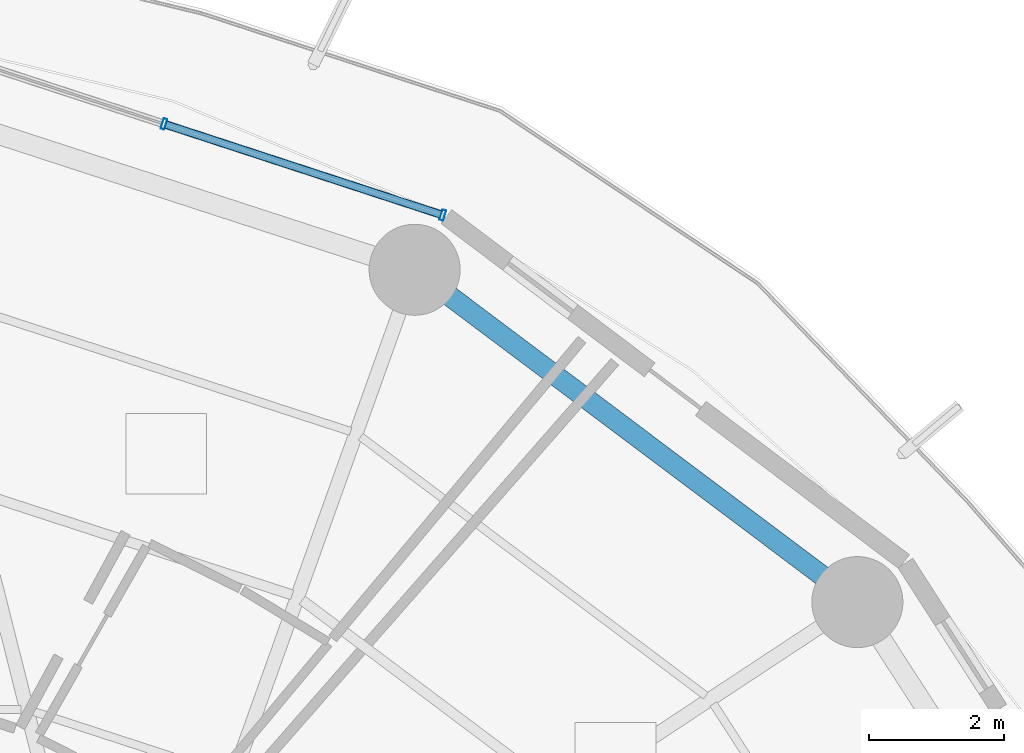
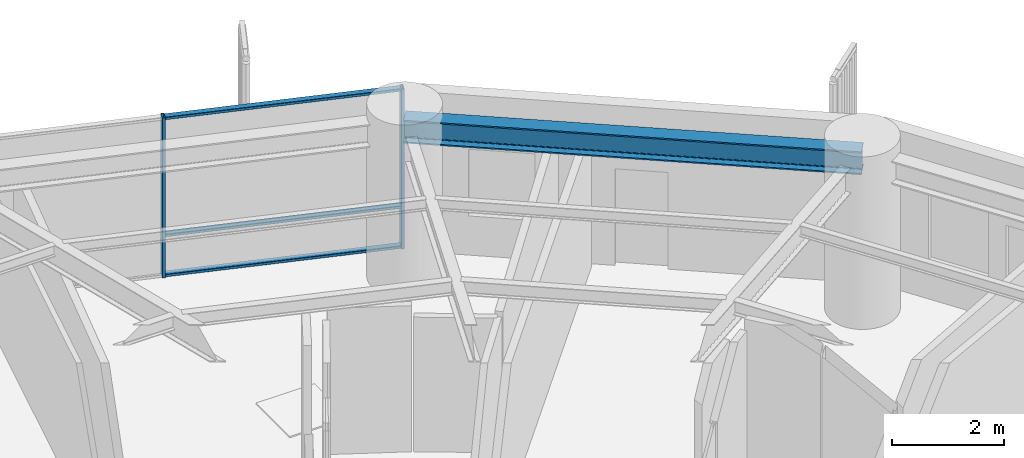
# One storey, part 25 of 36: 5 members, 1 beam, 1 element without a shape of its own.
"""IFC4 building model written with IfcOpenShell, lengths in metres."""

from ifc_helpers import new_model, si_unit, direction, frame, origin, origin_2d, place, context, subcontext, project, spatial, hollow_rectangle, i_section, extrude, material, layer, layer_set, material_profile, profile_set, type_object, element, aggregate, save


model = new_model("IFC4")

# Units and contexts
model_context = context("Model", 3, precision=1e-05, world=origin(), true_north=direction((0.0, 1.0)))
body_context = subcontext(model_context, "Body", "Model", "MODEL_VIEW")
ifc_project = project(units=[si_unit("LENGTHUNIT", "METRE"), si_unit("AREAUNIT", "SQUARE_METRE"), si_unit("VOLUMEUNIT", "CUBIC_METRE"), si_unit("PLANEANGLEUNIT", "RADIAN"), si_unit("MASSUNIT", "GRAM", prefix="KILO")], contexts=[model_context])

# Site, building, storey
site_placement = place(None, origin())
site = spatial("IfcSite", under=ifc_project, at=site_placement, CompositionType="ELEMENT")
building_placement = place(site_placement, origin())
building = spatial("IfcBuilding", under=site, at=building_placement, Name="Kelanora Arch Commons", CompositionType="ELEMENT")
storey_placement = place(building_placement, frame((0.0, 0.0, 102.60009765625)))
storey = spatial("IfcBuildingStorey", under=building, at=storey_placement, Name="L26", CompositionType="ELEMENT", Elevation=102.60009765625)

# Beam
ifc_material_1 = material(Name="Steel S355", Category="steel")
ifc_material_profile_1 = material_profile(ifc_material_1, i_section(OverallWidth=0.300048828125, OverallDepth=0.5, WebThickness=0.014404296875, FlangeThickness=0.028076171875, FilletRadius=0.027099609375, at=origin_2d()), Name="HEB500")
ifc_profile_set_1 = profile_set([ifc_material_profile_1], Name="Steel S355")
beam_type = type_object("IfcBeamType", Name="BM-SPN-Z2", PredefinedType="SPANDREL", material=ifc_profile_set_1)
beam_placement = place(storey_placement, frame((92.906005859375, 72.19287109375, 3.239990234375), z_axis=(-0.799735861602, 0.600352023123, 0.0), x_axis=(-0.600352023123, -0.799735861602, 0.0)))
element("IfcBeam", 1, at=beam_placement, inside=storey, type_object=beam_type, Name="Perimeter Spandrel Beam BS-04 L26", PredefinedType="SPANDREL", context=body_context, shape_type="SweptSolid", body=[
    extrude(i_section(OverallWidth=0.300048828125, OverallDepth=0.5, WebThickness=0.014404296875, FlangeThickness=0.028076171875, FilletRadius=0.027099609375, at=origin_2d()), origin(), (0.0, 0.0, 1.0), 8.210205078125),
])

# Curtain wall, members
ifc_material_2 = material(Name="Terracotta ceramic-fritted low-E glass and aluminium", Category="masonry")
ifc_layer = layer(ifc_material_2, 0.159912109375)
ifc_layer_set = layer_set([ifc_layer], Name="Terracotta ceramic-fritted low-E glass and aluminium")
curtain_wall_type = type_object("IfcCurtainWallType", Name="CW-SYS-01", PredefinedType="NOTDEFINED", material=ifc_layer_set)
curtain_wall_placement = place(storey_placement, origin())
curtain_wall = element("IfcCurtainWall", 2, at=curtain_wall_placement, inside=storey, type_object=curtain_wall_type, Name="Unitised Curtain Wall L26-B03", PredefinedType="NOTDEFINED")
ifc_material_3 = material(Name="Powder-coated aluminium terracotta", Category="masonry")
ifc_material_profile_2 = material_profile(ifc_material_3, hollow_rectangle(XDim=0.159912109375, YDim=0.06005859375, WallThickness=0.0048828125, InnerFilletRadius=0.0048828125, OuterFilletRadius=0.010009765625, at=origin_2d()), Name="CWM160x60")
ifc_profile_set_2 = profile_set([ifc_material_profile_2], Name="Powder-coated aluminium terracotta")
member_type_1 = type_object("IfcMemberType", Name="CWM-STD", PredefinedType="MULLION", material=ifc_profile_set_2)
member_1_placement = place(storey_placement, frame((86.757080078125, 77.9326171875, 0.0), z_axis=(0.0, 0.0, 1.0), x_axis=(-0.31080470294, -0.950473795867, 0.0)))
member_1 = element("IfcMember", 3, at=member_1_placement, type_object=member_type_1, Name="CW-01 mullion 1", PredefinedType="MULLION", context=body_context, shape_type="SweptSolid", body=[
    extrude(hollow_rectangle(XDim=0.159912109375, YDim=0.06005859375, WallThickness=0.0048828125, InnerFilletRadius=0.0048828125, OuterFilletRadius=0.010009765625, at=origin_2d()), origin(), (0.0, 0.0, 1.0), 3.474853515625),
])
member_2_placement = place(storey_placement, frame((82.622802734375, 79.28466796875, 0.0), z_axis=(0.0, 0.0, 1.0), x_axis=(-0.31080470294, -0.950473795867, 0.0)))
member_2 = element("IfcMember", 4, at=member_2_placement, type_object=member_type_1, Name="CW-01 mullion 2", PredefinedType="MULLION", context=body_context, shape_type="SweptSolid", body=[
    extrude(hollow_rectangle(XDim=0.159912109375, YDim=0.06005859375, WallThickness=0.0048828125, InnerFilletRadius=0.0048828125, OuterFilletRadius=0.010009765625, at=origin_2d()), origin(), (0.0, 0.0, 1.0), 3.474853515625),
])
ifc_material_profile_3 = material_profile(ifc_material_3, hollow_rectangle(XDim=0.1201171875, YDim=0.06005859375, WallThickness=0.0048828125, InnerFilletRadius=0.0048828125, OuterFilletRadius=0.010009765625, at=origin_2d()), Name="CWT120x60")
ifc_profile_set_3 = profile_set([ifc_material_profile_3], Name="Powder-coated aluminium terracotta")
member_type_2 = type_object("IfcMemberType", Name="CWT-STD", PredefinedType="USERDEFINED", material=ifc_profile_set_3)
member_3_placement = place(storey_placement, frame((86.728759765625, 77.94189453125, 0.02978515625), z_axis=(-0.950466230394, 0.310827838008, 0.0), x_axis=(-0.310827838008, -0.950466230394, 0.0)))
member_3 = element("IfcMember", 5, at=member_3_placement, type_object=member_type_2, Name="CW-01 transom 1.1", ObjectType="TRANSOM", PredefinedType="USERDEFINED", context=body_context, shape_type="SweptSolid", body=[
    extrude(hollow_rectangle(XDim=0.1201171875, YDim=0.06005859375, WallThickness=0.0048828125, InnerFilletRadius=0.0048828125, OuterFilletRadius=0.010009765625, at=origin_2d()), origin(), (0.0, 0.0, 1.0), 4.2900390625),
])
member_4_placement = place(storey_placement, frame((86.728759765625, 77.94189453125, 0.89990234375), z_axis=(-0.950466230394, 0.310827838008, 0.0), x_axis=(-0.310827838008, -0.950466230394, 0.0)))
member_4 = element("IfcMember", 6, at=member_4_placement, type_object=member_type_2, Name="CW-01 transom 1.2", ObjectType="TRANSOM", PredefinedType="USERDEFINED", context=body_context, shape_type="SweptSolid", body=[
    extrude(hollow_rectangle(XDim=0.1201171875, YDim=0.06005859375, WallThickness=0.0048828125, InnerFilletRadius=0.0048828125, OuterFilletRadius=0.010009765625, at=origin_2d()), origin(), (0.0, 0.0, 1.0), 4.2900390625),
])
member_5_placement = place(storey_placement, frame((86.728759765625, 77.94189453125, 3.44482421875), z_axis=(-0.950466230394, 0.310827838008, 0.0), x_axis=(-0.310827838008, -0.950466230394, 0.0)))
member_5 = element("IfcMember", 7, at=member_5_placement, type_object=member_type_2, Name="CW-01 transom 1.3", ObjectType="TRANSOM", PredefinedType="USERDEFINED", context=body_context, shape_type="SweptSolid", body=[
    extrude(hollow_rectangle(XDim=0.1201171875, YDim=0.06005859375, WallThickness=0.0048828125, InnerFilletRadius=0.0048828125, OuterFilletRadius=0.010009765625, at=origin_2d()), origin(), (0.0, 0.0, 1.0), 4.2900390625),
])
aggregate(curtain_wall, [member_1, member_2, member_3, member_4, member_5])

save(model, "model.ifc")
